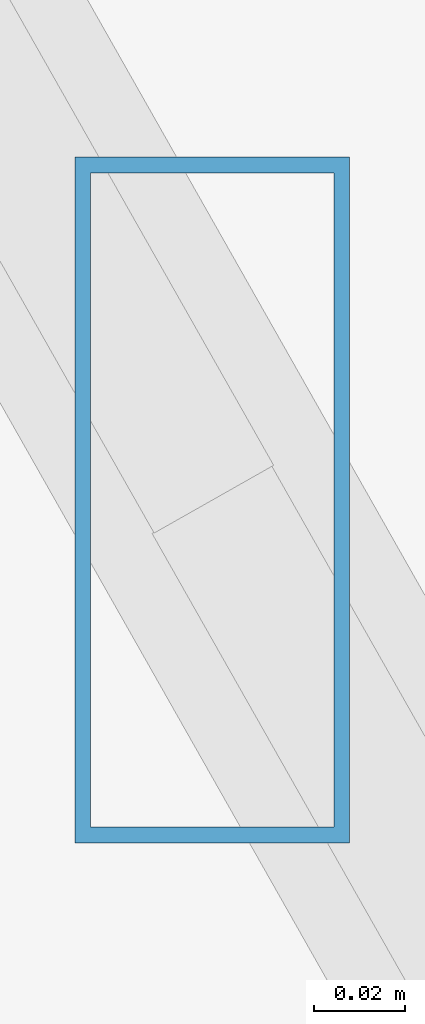
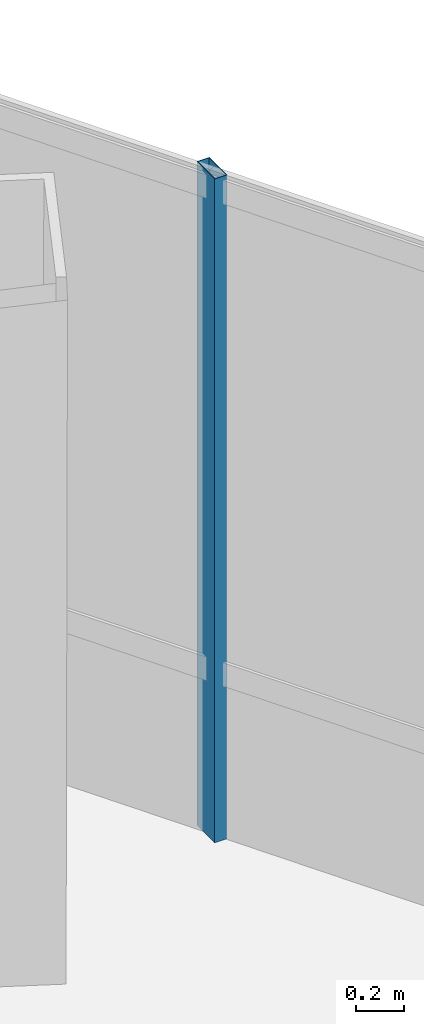
# One storey, part 22 of 41: 1 member, 1 element without a shape of its own.
"""IFC4 building model written with IfcOpenShell, lengths in metres."""

import ifcopenshell
import ifcopenshell.guid

model = None  # the IFC model being written
_history = None  # IfcOwnerHistory: only IFC2X3 demands one
_inside = {}  # id of a spatial element -> (the spatial element, [elements in it])
_under = {}  # id of a project, library or spatial element -> (it, [spatial elements below it])
_declared = {}  # id of a project -> (the project, [libraries it declares])
_typed = {}  # id of a type object -> (the type object, [elements of that type])
_made_of = {}  # id of a material, layer set ... -> (it, [elements and type objects made of it])


def new_model(schema):
    """Start an empty IFC model of exactly this schema.

    Asked for "IFC4X3", IfcOpenShell would pick the latest addendum, in which some entities
    have other attributes; the version numbers below select the first issue.
    IFC2X3 requires an IfcOwnerHistory on every rooted entity: one is made here for all.
    """
    global model, _history
    if schema == "IFC4X3":
        model = ifcopenshell.file(schema_version=(4, 3, 0, 0))
    else:
        model = ifcopenshell.file(schema=schema)
    _inside.clear()
    _under.clear()
    _declared.clear()
    _typed.clear()
    _made_of.clear()
    _history = None
    if model.schema == "IFC2X3":
        org = make("IfcOrganization", Name="unknown")
        user = make(
            "IfcPersonAndOrganization",
            ThePerson=make("IfcPerson", FamilyName="unknown"),
            TheOrganization=org,
        )
        app = make(
            "IfcApplication",
            ApplicationDeveloper=org,
            Version="unknown",
            ApplicationFullName="unknown",
            ApplicationIdentifier="unknown",
        )
        _history = make(
            "IfcOwnerHistory",
            OwningUser=user,
            OwningApplication=app,
            ChangeAction="ADDED",
            CreationDate=0,
        )
    return model


def make(cls, **values):
    """One entity of the class cls with the attributes given. An attribute that is None is left unset."""
    return model.create_entity(
        cls, **{name: value for name, value in values.items() if value is not None}
    )


def rooted(cls, **values):
    """An entity with a GlobalId (a new one), such as an element, a storey or a relation."""
    return make(cls, GlobalId=ifcopenshell.guid.new(), OwnerHistory=_history, **values)


def si_unit(unit_type, name, prefix=None):
    """IfcSIUnit, for example si_unit("LENGTHUNIT", "METRE", prefix="MILLI")."""
    return make("IfcSIUnit", UnitType=unit_type, Prefix=prefix, Name=name)


def assignment(units):
    """IfcUnitAssignment: the units of a project."""
    return None if units is None else make("IfcUnitAssignment", Units=units)


def point(xyz):
    """IfcCartesianPoint."""
    return None if xyz is None else make("IfcCartesianPoint", Coordinates=xyz)


def direction(xyz):
    """IfcDirection."""
    return None if xyz is None else make("IfcDirection", DirectionRatios=xyz)


def frame(location, z_axis=None, x_axis=None):
    """IfcAxis2Placement3D, a coordinate frame: its origin and axes. An axis left out is left unset."""
    return make(
        "IfcAxis2Placement3D",
        Location=point(location),
        Axis=direction(z_axis),
        RefDirection=direction(x_axis),
    )


def frame_2d(location, x_axis=None):
    """IfcAxis2Placement2D, a coordinate frame in the plane: its origin and x axis."""
    return make(
        "IfcAxis2Placement2D", Location=point(location), RefDirection=direction(x_axis)
    )


def origin():
    """The frame at (0, 0, 0) with its axes left unset."""
    return frame((0.0, 0.0, 0.0))


def origin_2d():
    """The frame at (0, 0) in the plane with its x axis left unset."""
    return frame_2d((0.0, 0.0))


def place(relative_to, where):
    """IfcLocalPlacement: puts the frame where relative to a parent placement (None: the world)."""
    return make(
        "IfcLocalPlacement", PlacementRelTo=relative_to, RelativePlacement=where
    )


def context(
    kind, dimensions, precision=None, world=None, true_north=None, identifier=None
):
    """IfcGeometricRepresentationContext, for example the 3D "Model" context."""
    return make(
        "IfcGeometricRepresentationContext",
        ContextIdentifier=identifier,
        ContextType=kind,
        CoordinateSpaceDimension=dimensions,
        Precision=precision,
        WorldCoordinateSystem=world,
        TrueNorth=true_north,
    )


def subcontext(parent, identifier, kind, view, scale=None):
    """IfcGeometricRepresentationSubContext, for example "Body" below "Model"."""
    return make(
        "IfcGeometricRepresentationSubContext",
        ContextIdentifier=identifier,
        ContextType=kind,
        ParentContext=parent,
        TargetScale=scale,
        TargetView=view,
    )


def project(units=None, contexts=None):
    """IfcProject with its units and contexts."""
    return rooted(
        "IfcProject",
        Name="project",
        RepresentationContexts=contexts,
        UnitsInContext=assignment(units),
    )


def spatial(cls, under=None, at=None, **own):
    """A site, building, storey or space (cls), placed at a placement, below another one or the project."""
    s = rooted(cls, ObjectPlacement=at, **own)
    if under is not None:
        _under.setdefault(under.id(), (under, []))[1].append(s)
    return s


def profile(cls, at=None, kind="AREA", **sizes):
    """A parametric profile (cls). Its sizes go by their IFC names, for example OverallWidth=200.0."""
    return make(cls, ProfileType=kind, Position=at, **sizes)


def hollow_rectangle(**sizes):
    """IfcRectangleHollowProfileDef."""
    return profile("IfcRectangleHollowProfileDef", **sizes)


def extrude(swept, where, along, depth):
    """IfcExtrudedAreaSolid: the profile swept, set in the frame where, extruded along a direction by depth."""
    return make(
        "IfcExtrudedAreaSolid",
        SweptArea=swept,
        Position=where,
        ExtrudedDirection=direction(along),
        Depth=depth,
    )


def shape(context_of_items, identifier, shape_type, items):
    """IfcShapeRepresentation: the items that make up one representation, for example the "Body"."""
    return make(
        "IfcShapeRepresentation",
        ContextOfItems=context_of_items,
        RepresentationIdentifier=identifier,
        RepresentationType=shape_type,
        Items=items,
    )


def source(mapping_origin, context_of_items, identifier, shape_type, items):
    """IfcRepresentationMap: a shape defined once, which mapped items show again and again."""
    return make(
        "IfcRepresentationMap",
        MappingOrigin=mapping_origin,
        MappedRepresentation=shape(context_of_items, identifier, shape_type, items),
    )


def transform(
    local_origin,
    x_axis=None,
    y_axis=None,
    z_axis=None,
    scale=None,
    scale2=None,
    scale3=None,
    uniform=True,
):
    """IfcCartesianTransformationOperator3D, or its non-uniform kind. x_axis, y_axis, z_axis: its Axis1, 2, 3."""
    if uniform:
        return make(
            "IfcCartesianTransformationOperator3D",
            Axis1=direction(x_axis),
            Axis2=direction(y_axis),
            LocalOrigin=point(local_origin),
            Scale=scale,
            Axis3=direction(z_axis),
        )
    return make(
        "IfcCartesianTransformationOperator3DnonUniform",
        Axis1=direction(x_axis),
        Axis2=direction(y_axis),
        LocalOrigin=point(local_origin),
        Scale=scale,
        Axis3=direction(z_axis),
        Scale2=scale2,
        Scale3=scale3,
    )


def mapped(mapping_source, mapping_target):
    """IfcMappedItem: shows the shape of a source again, moved by a transform."""
    return make(
        "IfcMappedItem", MappingSource=mapping_source, MappingTarget=mapping_target
    )


def material(Name=None, Category=None):
    """IfcMaterial."""
    return make("IfcMaterial", Name=Name, Category=Category)


def material_profile(
    of_material, cross_section, Name=None, Category=None, Priority=None
):
    """IfcMaterialProfile: a cross section and its material."""
    return make(
        "IfcMaterialProfile",
        Name=Name,
        Material=of_material,
        Profile=cross_section,
        Priority=Priority,
        Category=Category,
    )


def profile_set(profiles, Name=None, composite=None):
    """IfcMaterialProfileSet."""
    return make(
        "IfcMaterialProfileSet",
        Name=Name,
        MaterialProfiles=profiles,
        CompositeProfile=composite,
    )


def made_of(thing, what):
    """Note that an element or type object is made of a material, layer set ...; save() writes the relation."""
    if what is not None:
        _made_of.setdefault(what.id(), (what, []))[1].append(thing)
    return thing


def type_object(cls, material=None, **own):
    """A type object (cls), such as IfcWallType, which elements share."""
    return made_of(rooted(cls, **own), material)


def type_shapes(of_type, sources):
    """Give a type object the sources (RepresentationMaps) that its elements show as mapped items."""
    of_type.RepresentationMaps = sources


def element(
    cls,
    number,
    at=None,
    inside=None,
    cuts=None,
    type_object=None,
    material=None,
    context=None,
    identifier="Body",
    shape_type=None,
    held_by="IfcProductDefinitionShape",
    body=None,
    shapes=None,
    **own,
):
    """One element of the class cls, such as IfcWall. Its Tag is "e" and its number.

    at: its placement. inside: the storey or other place that contains it. cuts: it is an
    opening in that element (IfcRelVoidsElement). A single representation is given by context,
    identifier, shape_type and body (its items); several are given by shapes. held_by: the class
    of the entity that holds the representations. save() writes the other relations.
    """
    e = rooted(cls, Tag="e%d" % number, ObjectPlacement=at, **own)
    if body is not None:
        shapes = [shape(context, identifier, shape_type, body)]
    if shapes is not None:
        e.Representation = make(held_by, Representations=shapes)
    if inside is not None:
        _inside.setdefault(inside.id(), (inside, []))[1].append(e)
    if cuts is not None:
        rooted(
            "IfcRelVoidsElement", RelatingBuildingElement=cuts, RelatedOpeningElement=e
        )
    if type_object is not None:
        _typed.setdefault(type_object.id(), (type_object, []))[1].append(e)
    return made_of(e, material)


def aggregate(whole, parts):
    """IfcRelAggregates: a whole, such as a stair, and the parts it consists of."""
    return rooted("IfcRelAggregates", RelatingObject=whole, RelatedObjects=parts)


def save(model, path):
    """Write the relations noted so far, then the file.

    IfcRelAggregates (storeys below a building ...), IfcRelContainedInSpatialStructure (elements
    in a storey), IfcRelDefinesByType, IfcRelAssociatesMaterial and IfcRelDeclares: one each for
    every whole, place, type object, material and project.
    """
    for whole, parts in _under.values():
        aggregate(whole, parts)
    for where, things in _inside.values():
        rooted(
            "IfcRelContainedInSpatialStructure",
            RelatedElements=things,
            RelatingStructure=where,
        )
    for kind, things in _typed.values():
        rooted("IfcRelDefinesByType", RelatedObjects=things, RelatingType=kind)
    for what, things in _made_of.values():
        rooted("IfcRelAssociatesMaterial", RelatedObjects=things, RelatingMaterial=what)
    for by, libraries in _declared.values():
        rooted("IfcRelDeclares", RelatingContext=by, RelatedDefinitions=libraries)
    model.write(path)


model = new_model("IFC4")

# Units and contexts
model_context = context("Model", 3, precision=1e-05, world=origin(), true_north=direction((0.0, 1.0)))
body_context = subcontext(model_context, "Body", "Model", "MODEL_VIEW")
ifc_project = project(units=[si_unit("LENGTHUNIT", "METRE"), si_unit("AREAUNIT", "SQUARE_METRE"), si_unit("VOLUMEUNIT", "CUBIC_METRE"), si_unit("PLANEANGLEUNIT", "RADIAN"), si_unit("MASSUNIT", "GRAM", prefix="KILO")], contexts=[model_context])

# Site, building, storey
site_placement = place(None, origin())
site = spatial("IfcSite", under=ifc_project, at=site_placement, CompositionType="ELEMENT")
building_placement = place(site_placement, origin())
building = spatial("IfcBuilding", under=site, at=building_placement, Name="Caelisora Broadcast Tower", CompositionType="ELEMENT")
storey_placement = place(building_placement, frame((0.0, 0.0, 209.60009765625)))
storey = spatial("IfcBuildingStorey", under=building, at=storey_placement, Name="L55", CompositionType="ELEMENT", Elevation=209.60009765625)

# Curtain wall, member
ifc_material_1 = material(Name="Unitised Aluminium and Low-E Glass Curtain Wall", Category="glass")
curtain_wall_type = type_object("IfcCurtainWallType", Name="CW-Z4", PredefinedType="NOTDEFINED", material=ifc_material_1)
curtain_wall_placement = place(storey_placement, origin())
curtain_wall = element("IfcCurtainWall", 1, at=curtain_wall_placement, inside=storey, type_object=curtain_wall_type, Name="L55 curtain wall CW-Z4", PredefinedType="NOTDEFINED")
ifc_material_2 = material(Name="Aluminium 6063-T6 Anodised Terracotta Bronze", Category="aluminium")
ifc_material_profile = material_profile(ifc_material_2, hollow_rectangle(XDim=0.06005859375, YDim=0.14990234375, WallThickness=0.00341796875, at=origin_2d()), Name="Aluminium 6063-T6 Anodised Terracotta Bronze")
ifc_profile_set = profile_set([ifc_material_profile], Name="Aluminium 6063-T6 Anodised Terracotta Bronze")
member_type = type_object("IfcMemberType", Name="CWM-03", PredefinedType="MULLION", material=ifc_profile_set)
shared_shape = source(origin(), body_context, "Body", "SweptSolid", [
    extrude(hollow_rectangle(XDim=0.06005859375, YDim=0.14990234375, WallThickness=0.00341796875, at=origin_2d()), origin(), (0.0, 0.0, 1.0), 3.39990234375),
])
type_shapes(member_type, [shared_shape])
member_placement = place(storey_placement, frame((61.319580078125, 17.125244140625, 0.0), z_axis=(0.0, 0.0, 1.0), x_axis=(1.0, 0.0, 0.0)))
member = element("IfcMember", 2, at=member_placement, type_object=member_type, Name="L55-CW-B03 mullion #2", PredefinedType="MULLION", context=body_context, shape_type="MappedRepresentation", body=[
    mapped(shared_shape, transform((0.0, 0.0, 0.0), scale=1.0)),
])
aggregate(curtain_wall, [member])

save(model, "model.ifc")
